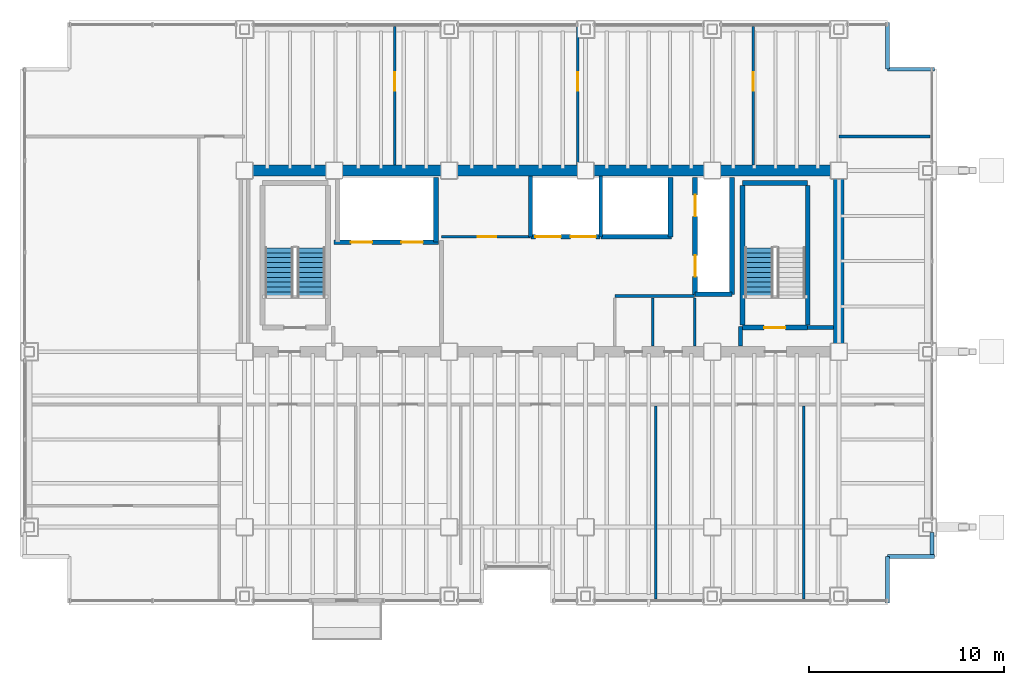
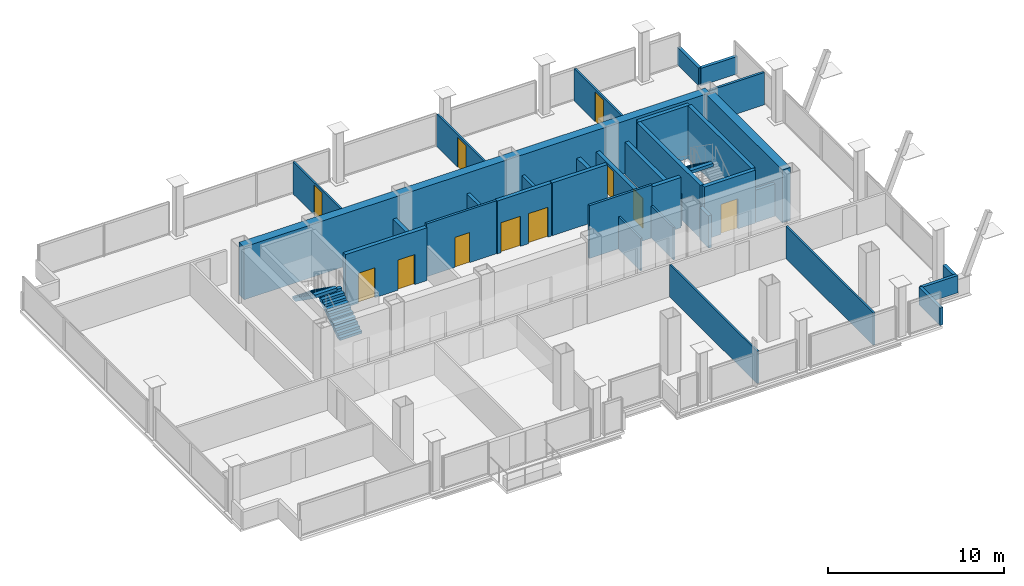
# One storey, part 17 of 19: 33 walls, 11 doors, 3 stair flights, 11 openings, 2 elements without a shape of their own.
"""IFC4 building model written with IfcOpenShell, lengths in metres."""

import ifcopenshell
import ifcopenshell.guid

model = None  # the IFC model being written
_history = None  # IfcOwnerHistory: only IFC2X3 demands one
_inside = {}  # id of a spatial element -> (the spatial element, [elements in it])
_under = {}  # id of a project, library or spatial element -> (it, [spatial elements below it])
_declared = {}  # id of a project -> (the project, [libraries it declares])
_typed = {}  # id of a type object -> (the type object, [elements of that type])
_made_of = {}  # id of a material, layer set ... -> (it, [elements and type objects made of it])


def new_model(schema):
    """Start an empty IFC model of exactly this schema.

    Asked for "IFC4X3", IfcOpenShell would pick the latest addendum, in which some entities
    have other attributes; the version numbers below select the first issue.
    IFC2X3 requires an IfcOwnerHistory on every rooted entity: one is made here for all.
    """
    global model, _history
    if schema == "IFC4X3":
        model = ifcopenshell.file(schema_version=(4, 3, 0, 0))
    else:
        model = ifcopenshell.file(schema=schema)
    _inside.clear()
    _under.clear()
    _declared.clear()
    _typed.clear()
    _made_of.clear()
    _history = None
    if model.schema == "IFC2X3":
        org = make("IfcOrganization", Name="unknown")
        user = make(
            "IfcPersonAndOrganization",
            ThePerson=make("IfcPerson", FamilyName="unknown"),
            TheOrganization=org,
        )
        app = make(
            "IfcApplication",
            ApplicationDeveloper=org,
            Version="unknown",
            ApplicationFullName="unknown",
            ApplicationIdentifier="unknown",
        )
        _history = make(
            "IfcOwnerHistory",
            OwningUser=user,
            OwningApplication=app,
            ChangeAction="ADDED",
            CreationDate=0,
        )
    return model


def make(cls, **values):
    """One entity of the class cls with the attributes given. An attribute that is None is left unset."""
    return model.create_entity(
        cls, **{name: value for name, value in values.items() if value is not None}
    )


def rooted(cls, **values):
    """An entity with a GlobalId (a new one), such as an element, a storey or a relation."""
    return make(cls, GlobalId=ifcopenshell.guid.new(), OwnerHistory=_history, **values)


def si_unit(unit_type, name, prefix=None):
    """IfcSIUnit, for example si_unit("LENGTHUNIT", "METRE", prefix="MILLI")."""
    return make("IfcSIUnit", UnitType=unit_type, Prefix=prefix, Name=name)


def assignment(units):
    """IfcUnitAssignment: the units of a project."""
    return None if units is None else make("IfcUnitAssignment", Units=units)


def point(xyz):
    """IfcCartesianPoint."""
    return None if xyz is None else make("IfcCartesianPoint", Coordinates=xyz)


def direction(xyz):
    """IfcDirection."""
    return None if xyz is None else make("IfcDirection", DirectionRatios=xyz)


def frame(location, z_axis=None, x_axis=None):
    """IfcAxis2Placement3D, a coordinate frame: its origin and axes. An axis left out is left unset."""
    return make(
        "IfcAxis2Placement3D",
        Location=point(location),
        Axis=direction(z_axis),
        RefDirection=direction(x_axis),
    )


def frame_2d(location, x_axis=None):
    """IfcAxis2Placement2D, a coordinate frame in the plane: its origin and x axis."""
    return make(
        "IfcAxis2Placement2D", Location=point(location), RefDirection=direction(x_axis)
    )


def origin():
    """The frame at (0, 0, 0) with its axes left unset."""
    return frame((0.0, 0.0, 0.0))


def place(relative_to, where):
    """IfcLocalPlacement: puts the frame where relative to a parent placement (None: the world)."""
    return make(
        "IfcLocalPlacement", PlacementRelTo=relative_to, RelativePlacement=where
    )


def context(
    kind, dimensions, precision=None, world=None, true_north=None, identifier=None
):
    """IfcGeometricRepresentationContext, for example the 3D "Model" context."""
    return make(
        "IfcGeometricRepresentationContext",
        ContextIdentifier=identifier,
        ContextType=kind,
        CoordinateSpaceDimension=dimensions,
        Precision=precision,
        WorldCoordinateSystem=world,
        TrueNorth=true_north,
    )


def subcontext(parent, identifier, kind, view, scale=None):
    """IfcGeometricRepresentationSubContext, for example "Body" below "Model"."""
    return make(
        "IfcGeometricRepresentationSubContext",
        ContextIdentifier=identifier,
        ContextType=kind,
        ParentContext=parent,
        TargetScale=scale,
        TargetView=view,
    )


def project(units=None, contexts=None):
    """IfcProject with its units and contexts."""
    return rooted(
        "IfcProject",
        Name="project",
        RepresentationContexts=contexts,
        UnitsInContext=assignment(units),
    )


def spatial(cls, under=None, at=None, **own):
    """A site, building, storey or space (cls), placed at a placement, below another one or the project."""
    s = rooted(cls, ObjectPlacement=at, **own)
    if under is not None:
        _under.setdefault(under.id(), (under, []))[1].append(s)
    return s


def polyline(points):
    """IfcPolyline through the points."""
    return make("IfcPolyline", Points=[point(p) for p in points])


def profile(cls, at=None, kind="AREA", **sizes):
    """A parametric profile (cls). Its sizes go by their IFC names, for example OverallWidth=200.0."""
    return make(cls, ProfileType=kind, Position=at, **sizes)


def rectangle(**sizes):
    """IfcRectangleProfileDef."""
    return profile("IfcRectangleProfileDef", **sizes)


def outline(outer, holes=None, kind="AREA"):
    """IfcArbitraryClosedProfileDef: a profile drawn as a closed curve; with holes, ...WithVoids."""
    if holes is None:
        return make("IfcArbitraryClosedProfileDef", ProfileType=kind, OuterCurve=outer)
    return make(
        "IfcArbitraryProfileDefWithVoids",
        ProfileType=kind,
        OuterCurve=outer,
        InnerCurves=holes,
    )


def extrude(swept, where, along, depth):
    """IfcExtrudedAreaSolid: the profile swept, set in the frame where, extruded along a direction by depth."""
    return make(
        "IfcExtrudedAreaSolid",
        SweptArea=swept,
        Position=where,
        ExtrudedDirection=direction(along),
        Depth=depth,
    )


def shape(context_of_items, identifier, shape_type, items):
    """IfcShapeRepresentation: the items that make up one representation, for example the "Body"."""
    return make(
        "IfcShapeRepresentation",
        ContextOfItems=context_of_items,
        RepresentationIdentifier=identifier,
        RepresentationType=shape_type,
        Items=items,
    )


def material(Name=None, Category=None):
    """IfcMaterial."""
    return make("IfcMaterial", Name=Name, Category=Category)


def layer(
    of_material, thickness, ventilated=None, Name=None, Category=None, Priority=None
):
    """IfcMaterialLayer: one layer of a wall or slab, of a material (None: an air gap)."""
    return make(
        "IfcMaterialLayer",
        Material=of_material,
        LayerThickness=thickness,
        IsVentilated=ventilated,
        Name=Name,
        Category=Category,
        Priority=Priority,
    )


def layer_set(layers, Name=None):
    """IfcMaterialLayerSet."""
    return make("IfcMaterialLayerSet", MaterialLayers=layers, LayerSetName=Name)


def made_of(thing, what):
    """Note that an element or type object is made of a material, layer set ...; save() writes the relation."""
    if what is not None:
        _made_of.setdefault(what.id(), (what, []))[1].append(thing)
    return thing


def type_object(cls, material=None, **own):
    """A type object (cls), such as IfcWallType, which elements share."""
    return made_of(rooted(cls, **own), material)


def element(
    cls,
    number,
    at=None,
    inside=None,
    cuts=None,
    type_object=None,
    material=None,
    context=None,
    identifier="Body",
    shape_type=None,
    held_by="IfcProductDefinitionShape",
    body=None,
    shapes=None,
    **own,
):
    """One element of the class cls, such as IfcWall. Its Tag is "e" and its number.

    at: its placement. inside: the storey or other place that contains it. cuts: it is an
    opening in that element (IfcRelVoidsElement). A single representation is given by context,
    identifier, shape_type and body (its items); several are given by shapes. held_by: the class
    of the entity that holds the representations. save() writes the other relations.
    """
    e = rooted(cls, Tag="e%d" % number, ObjectPlacement=at, **own)
    if body is not None:
        shapes = [shape(context, identifier, shape_type, body)]
    if shapes is not None:
        e.Representation = make(held_by, Representations=shapes)
    if inside is not None:
        _inside.setdefault(inside.id(), (inside, []))[1].append(e)
    if cuts is not None:
        rooted(
            "IfcRelVoidsElement", RelatingBuildingElement=cuts, RelatedOpeningElement=e
        )
    if type_object is not None:
        _typed.setdefault(type_object.id(), (type_object, []))[1].append(e)
    return made_of(e, material)


def fill(opening, filler):
    """IfcRelFillsElement: the door or window that sits in an opening."""
    return rooted(
        "IfcRelFillsElement",
        RelatingOpeningElement=opening,
        RelatedBuildingElement=filler,
    )


def aggregate(whole, parts):
    """IfcRelAggregates: a whole, such as a stair, and the parts it consists of."""
    return rooted("IfcRelAggregates", RelatingObject=whole, RelatedObjects=parts)


def save(model, path):
    """Write the relations noted so far, then the file.

    IfcRelAggregates (storeys below a building ...), IfcRelContainedInSpatialStructure (elements
    in a storey), IfcRelDefinesByType, IfcRelAssociatesMaterial and IfcRelDeclares: one each for
    every whole, place, type object, material and project.
    """
    for whole, parts in _under.values():
        aggregate(whole, parts)
    for where, things in _inside.values():
        rooted(
            "IfcRelContainedInSpatialStructure",
            RelatedElements=things,
            RelatingStructure=where,
        )
    for kind, things in _typed.values():
        rooted("IfcRelDefinesByType", RelatedObjects=things, RelatingType=kind)
    for what, things in _made_of.values():
        rooted("IfcRelAssociatesMaterial", RelatedObjects=things, RelatingMaterial=what)
    for by, libraries in _declared.values():
        rooted("IfcRelDeclares", RelatingContext=by, RelatedDefinitions=libraries)
    model.write(path)


model = new_model("IFC4")

# Units and contexts
model_context = context("Model", 3, precision=1e-05, world=origin(), true_north=direction((0.0, 1.0)))
body_context = subcontext(model_context, "Body", "Model", "MODEL_VIEW")
ifc_project = project(units=[si_unit("LENGTHUNIT", "METRE"), si_unit("AREAUNIT", "SQUARE_METRE"), si_unit("VOLUMEUNIT", "CUBIC_METRE"), si_unit("PLANEANGLEUNIT", "RADIAN"), si_unit("MASSUNIT", "GRAM", prefix="KILO")], contexts=[model_context])

# Site, building, storey
site_placement = place(None, origin())
site = spatial("IfcSite", under=ifc_project, at=site_placement, CompositionType="ELEMENT")
building_placement = place(site_placement, origin())
building = spatial("IfcBuilding", under=site, at=building_placement, Name="Noeulbin Bourse Tower", CompositionType="ELEMENT")
storey_placement = place(building_placement, frame((0.0, 0.0, 165.60009765625)))
storey = spatial("IfcBuildingStorey", under=building, at=storey_placement, Name="L41", CompositionType="ELEMENT", Elevation=165.60009765625)

# Walls
ifc_material_1 = material(Name="Concrete C60/75", Category="concrete")
ifc_layer_1 = layer(ifc_material_1, 0.550048828125)
ifc_layer_set_1 = layer_set([ifc_layer_1], Name="Concrete C60/75")
wall_type_1 = type_object("IfcWallType", Name="WAL-CORE-550", PredefinedType="SHEAR", material=ifc_layer_set_1)
wall_1_placement = place(storey_placement, frame((13.5, 38.300048828125, 0.0), z_axis=(0.0, 0.0, 1.0), x_axis=(1.0, 0.0, 0.0)))
element("IfcWall", 1, at=wall_1_placement, inside=storey, type_object=wall_type_1, Name="Rear Core North Shear Wall L41", PredefinedType="SHEAR", context=body_context, shape_type="SweptSolid", body=[
    extrude(rectangle(XDim=30.5, YDim=0.550048828125, at=frame_2d((15.25, 0.0))), origin(), (0.0, 0.0, 1.0), 3.659912109375),
])
wall_2_placement = place(storey_placement, frame((44.0, 29.35009765625, 0.0), z_axis=(0.0, 0.0, 1.0), x_axis=(0.0, 1.0, 0.0)))
element("IfcWall", 2, at=wall_2_placement, inside=storey, type_object=wall_type_1, Name="Rear Core East Shear Wall L41", PredefinedType="SHEAR", context=body_context, shape_type="SweptSolid", body=[
    extrude(rectangle(XDim=8.599853515625, YDim=0.550048828125, at=frame_2d((4.2998046875, 0.0))), origin(), (0.0, 0.0, 1.0), 3.659912109375),
])
ifc_material_2 = material(Name="Concrete C40/50", Category="concrete")
ifc_layer_2 = layer(ifc_material_2, 0.199951171875)
ifc_layer_set_2 = layer_set([ifc_layer_2], Name="Concrete C40/50")
wall_type_2 = type_object("IfcWallType", Name="WAL-FIRE-200", PredefinedType="STANDARD", material=ifc_layer_set_2)
wall_3_placement = place(storey_placement, frame((42.39990234375, 30.239990234375, 0.0), z_axis=(0.0, 0.0, 1.0), x_axis=(1.0, 0.0, 0.0)))
element("IfcWall", 3, at=wall_3_placement, inside=storey, type_object=wall_type_2, Name="Interior Partition Wall L41-01", PredefinedType="STANDARD", context=body_context, shape_type="SweptSolid", body=[
    extrude(rectangle(XDim=1.315185546875, YDim=0.199951171875, at=frame_2d((0.65771484375, 0.0))), origin(), (0.0, 0.0, 1.0), 2.239990234375),
])
wall_4_placement = place(storey_placement, frame((38.949951171875, 29.284912109375, 0.0), z_axis=(0.0, 0.0, 1.0), x_axis=(0.0, 1.0, 0.0)))
element("IfcWall", 4, at=wall_4_placement, inside=storey, type_object=wall_type_2, Name="Interior Partition Wall L41-09", PredefinedType="STANDARD", context=body_context, shape_type="SweptSolid", body=[
    extrude(rectangle(XDim=1.01513671875, YDim=0.199951171875, at=frame_2d((0.507568359375, 0.0))), origin(), (0.0, 0.0, 1.0), 2.239990234375),
])
ifc_layer_3 = layer(ifc_material_2, 0.199951171875)
ifc_layer_set_3 = layer_set([ifc_layer_3], Name="Concrete C40/50")
wall_type_3 = type_object("IfcWallType", Name="WAL-PAR-200", PredefinedType="PARAPET", material=ifc_layer_set_3)
wall_5_placement = place(storey_placement, frame((48.780029296875, 18.60009765625, 0.0), z_axis=(0.0, 0.0, 1.0), x_axis=(0.0, 1.0, 0.0)))
element("IfcWall", 5, at=wall_5_placement, inside=storey, type_object=wall_type_3, Name="Perimeter Pier Spandrel Parapet L41-E2", PredefinedType="PARAPET", context=body_context, shape_type="SweptSolid", body=[
    extrude(rectangle(XDim=1.1298828125, YDim=0.199951171875, at=frame_2d((0.56494140625, 0.0))), origin(), (0.0, 0.0, 1.0), 1.199951171875),
])
for number, where, z_axis, x_axis, name in (
    (6, (46.5, 16.10009765625, 0.0), (0.0, 0.0, 1.0), (0.0, 1.0, 0.0), "Corner Notch Parapet L41-SE1"),
    (7, (46.5, 18.5, 0.0), (0.0, 0.0, 1.0), (1.0, 0.0, 0.0), "Corner Notch Parapet L41-SE2"),
    (8, (46.5, 45.89990234375, 0.0), (0.0, 0.0, 1.0), (0.0, -1.0, 0.0), "Corner Notch Parapet L41-NE1"),
    (9, (46.5, 43.5, 0.0), (0.0, 0.0, 1.0), (1.0, 0.0, 0.0), "Corner Notch Parapet L41-NE2"),
):
    element("IfcWall", number, at=place(storey_placement, frame(where, z_axis=z_axis, x_axis=x_axis)), inside=storey, type_object=wall_type_3, Name=name, PredefinedType="PARAPET", context=body_context, shape_type="SweptSolid", body=[
        extrude(rectangle(XDim=2.39990234375, YDim=0.199951171875, at=frame_2d((1.199951171875, 0.0))), origin(), (0.0, 0.0, 1.0), 1.199951171875),
    ])
ifc_material_3 = material(Name="Steel Stud Gypsum Partition", Category="steel")
ifc_layer_4 = layer(ifc_material_3, 0.1201171875)
ifc_layer_set_4 = layer_set([ifc_layer_4], Name="Steel Stud Gypsum Partition")
wall_type_4 = type_object("IfcWallType", Name="WAL-PRT-120", PredefinedType="PARTITIONING", material=ifc_layer_set_4)
for number, where, z_axis, x_axis, name in (
    (10, (36.60009765625, 29.284912109375, 0.0), (0.0, 0.0, 1.0), (0.0, 1.0, 0.0), "Interior Partition Wall L41-12"),
    (11, (34.449951171875, 29.284912109375, 0.0), (0.0, 0.0, 1.0), (0.0, 1.0, 0.0), "Interior Partition Wall L41-13"),
):
    element("IfcWall", number, at=place(storey_placement, frame(where, z_axis=z_axis, x_axis=x_axis)), inside=storey, type_object=wall_type_4, Name=name, PredefinedType="PARTITIONING", context=body_context, shape_type="SweptSolid", body=[
        extrude(rectangle(XDim=2.47998046875, YDim=0.1201171875, at=frame_2d((1.239990234375, 0.0))), origin(), (0.0, 0.0, 1.0), 2.239990234375),
    ])
for number, where, z_axis, x_axis, name in (
    (12, (34.60009765625, 16.31005859375, 0.0), (0.0, 0.0, 1.0), (0.0, 1.0, 0.0), "Interior Partition Wall L41-18"),
    (13, (42.199951171875, 16.31005859375, 0.0), (0.0, 0.0, 1.0), (0.0, 1.0, 0.0), "Interior Partition Wall L41-19"),
):
    element("IfcWall", number, at=place(storey_placement, frame(where, z_axis=z_axis, x_axis=x_axis)), inside=storey, type_object=wall_type_4, Name=name, PredefinedType="PARTITIONING", context=body_context, shape_type="SweptSolid", body=[
        extrude(rectangle(XDim=9.905029296875, YDim=0.1201171875, at=frame_2d((4.95263671875, 0.0))), origin(), (0.0, 0.0, 1.0), 2.239990234375),
    ])

# Wall, opening, door
wall_6_placement = place(storey_placement, frame((21.199951171875, 38.5849609375, 0.0), z_axis=(0.0, 0.0, 1.0), x_axis=(0.0, 1.0, 0.0)))
wall_6 = element("IfcWall", 14, at=wall_6_placement, inside=storey, type_object=wall_type_4, Name="Interior Partition Wall L41-20", PredefinedType="PARTITIONING", context=body_context, shape_type="SweptSolid", body=[
    extrude(rectangle(XDim=7.10498046875, YDim=0.1201171875, at=frame_2d((3.552490234375, 0.0))), origin(), (0.0, 0.0, 1.0), 2.239990234375),
])
opening_1_placement = place(wall_6_placement, frame((3.81005859375, 0.0, 0.0)))
opening_1 = element("IfcOpeningElement", 15, at=opening_1_placement, cuts=wall_6, Name="Opening ID-09", PredefinedType="OPENING", context=body_context, shape_type="SweptSolid", body=[
    extrude(rectangle(XDim=0.949951171875, YDim=2.080078125, at=frame_2d((0.47509765625, 1.0400390625))), frame((0.0, 0.070068359375, 0.0), z_axis=(0.0, -1.0, 0.0), x_axis=(1.0, 0.0, 0.0)), (0.0, 0.0, 1.0), 0.14013671875),
])
ifc_material_4 = material(Name="Acoustic Solid-Core Timber", Category="wood")
door_type_1 = type_object("IfcDoorType", Name="DR-SINGLE-950", OperationType="SINGLE_SWING_LEFT", PredefinedType="DOOR", material=ifc_material_4)
door_1_placement = place(opening_1_placement, origin())
door_1 = element("IfcDoor", 16, at=door_1_placement, inside=storey, type_object=door_type_1, Name="Interior Door L41-17", OperationType="SINGLE_SWING_LEFT", OverallHeight=2.080078125, OverallWidth=0.949951171875, PredefinedType="DOOR", context=body_context, shape_type="SweptSolid", body=[
    extrude(rectangle(XDim=0.949951171875, YDim=2.080078125, at=frame_2d((0.47509765625, 1.0400390625))), frame((0.0, 0.02490234375, 0.0), z_axis=(0.0, -1.0, 0.0), x_axis=(1.0, 0.0, 0.0)), (0.0, 0.0, 1.0), 0.050048828125),
])
fill(opening_1, door_1)

wall_7_placement = place(storey_placement, frame((30.60009765625, 38.5849609375, 0.0), z_axis=(0.0, 0.0, 1.0), x_axis=(0.0, 1.0, 0.0)))
wall_7 = element("IfcWall", 17, at=wall_7_placement, inside=storey, type_object=wall_type_4, Name="Interior Partition Wall L41-21", PredefinedType="PARTITIONING", context=body_context, shape_type="SweptSolid", body=[
    extrude(rectangle(XDim=7.10498046875, YDim=0.1201171875, at=frame_2d((3.552490234375, 0.0))), origin(), (0.0, 0.0, 1.0), 2.239990234375),
])
opening_2_placement = place(wall_7_placement, frame((3.81005859375, 0.0, 0.0)))
opening_2 = element("IfcOpeningElement", 18, at=opening_2_placement, cuts=wall_7, Name="Opening ID-09", PredefinedType="OPENING", context=body_context, shape_type="SweptSolid", body=[
    extrude(rectangle(XDim=0.949951171875, YDim=2.080078125, at=frame_2d((0.47509765625, 1.0400390625))), frame((0.0, 0.070068359375, 0.0), z_axis=(0.0, -1.0, 0.0), x_axis=(1.0, 0.0, 0.0)), (0.0, 0.0, 1.0), 0.14013671875),
])
door_2_placement = place(opening_2_placement, origin())
door_2 = element("IfcDoor", 19, at=door_2_placement, inside=storey, type_object=door_type_1, Name="Interior Door L41-18", OperationType="SINGLE_SWING_RIGHT", OverallHeight=2.080078125, OverallWidth=0.949951171875, PredefinedType="DOOR", context=body_context, shape_type="SweptSolid", body=[
    extrude(rectangle(XDim=0.949951171875, YDim=2.080078125, at=frame_2d((0.47509765625, 1.0400390625))), frame((0.0, 0.02490234375, 0.0), z_axis=(0.0, -1.0, 0.0), x_axis=(1.0, 0.0, 0.0)), (0.0, 0.0, 1.0), 0.050048828125),
])
fill(opening_2, door_2)

wall_8_placement = place(storey_placement, frame((39.60009765625, 38.5849609375, 0.0), z_axis=(0.0, 0.0, 1.0), x_axis=(0.0, 1.0, 0.0)))
wall_8 = element("IfcWall", 20, at=wall_8_placement, inside=storey, type_object=wall_type_4, Name="Interior Partition Wall L41-22", PredefinedType="PARTITIONING", context=body_context, shape_type="SweptSolid", body=[
    extrude(rectangle(XDim=7.10498046875, YDim=0.1201171875, at=frame_2d((3.552490234375, 0.0))), origin(), (0.0, 0.0, 1.0), 2.239990234375),
])
opening_3_placement = place(wall_8_placement, frame((3.81005859375, 0.0, 0.0)))
opening_3 = element("IfcOpeningElement", 21, at=opening_3_placement, cuts=wall_8, Name="Opening ID-09", PredefinedType="OPENING", context=body_context, shape_type="SweptSolid", body=[
    extrude(rectangle(XDim=0.949951171875, YDim=2.080078125, at=frame_2d((0.47509765625, 1.0400390625))), frame((0.0, 0.070068359375, 0.0), z_axis=(0.0, -1.0, 0.0), x_axis=(1.0, 0.0, 0.0)), (0.0, 0.0, 1.0), 0.14013671875),
])
door_3_placement = place(opening_3_placement, origin())
door_3 = element("IfcDoor", 22, at=door_3_placement, inside=storey, type_object=door_type_1, Name="Interior Door L41-19", OperationType="SINGLE_SWING_LEFT", OverallHeight=2.080078125, OverallWidth=0.949951171875, PredefinedType="DOOR", context=body_context, shape_type="SweptSolid", body=[
    extrude(rectangle(XDim=0.949951171875, YDim=2.080078125, at=frame_2d((0.47509765625, 1.0400390625))), frame((0.0, 0.02490234375, 0.0), z_axis=(0.0, -1.0, 0.0), x_axis=(1.0, 0.0, 0.0)), (0.0, 0.0, 1.0), 0.050048828125),
])
fill(opening_3, door_3)

ifc_material_5 = material(Name="Steel Stud Acoustic Gypsum Board", Category="steel")
ifc_layer_5 = layer(ifc_material_5, 0.14990234375)
ifc_layer_set_5 = layer_set([ifc_layer_5], Name="Steel Stud Acoustic Gypsum Board")
wall_type_5 = type_object("IfcWallType", Name="WAL-PRT-150", PredefinedType="PARTITIONING", material=ifc_layer_set_5)
wall_9_placement = place(storey_placement, frame((23.60009765625, 34.89990234375, 0.0), z_axis=(0.0, 0.0, 1.0), x_axis=(1.0, 0.0, 0.0)))
wall_9 = element("IfcWall", 23, at=wall_9_placement, inside=storey, type_object=wall_type_5, Name="Interior Partition Wall L41-02", PredefinedType="PARTITIONING", context=body_context, shape_type="SweptSolid", body=[
    extrude(rectangle(XDim=4.579833984375, YDim=0.14990234375, at=frame_2d((2.2900390625, 0.0))), origin(), (0.0, 0.0, 1.0), 3.659912109375),
])
opening_4_placement = place(wall_9_placement, frame((1.875, 0.0, 0.0)))
opening_4 = element("IfcOpeningElement", 24, at=opening_4_placement, cuts=wall_9, Name="Opening ID-09", PredefinedType="OPENING", context=body_context, shape_type="SweptSolid", body=[
    extrude(rectangle(XDim=0.949951171875, YDim=2.080078125, at=frame_2d((0.47509765625, 1.0400390625))), frame((0.0, 0.0849609375, 0.0), z_axis=(0.0, -1.0, 0.0), x_axis=(1.0, 0.0, 0.0)), (0.0, 0.0, 1.0), 0.169921875),
])
door_4_placement = place(opening_4_placement, origin())
door_4 = element("IfcDoor", 25, at=door_4_placement, inside=storey, type_object=door_type_1, Name="Archive Room Door L41", OperationType="SINGLE_SWING_LEFT", OverallHeight=2.080078125, OverallWidth=0.949951171875, PredefinedType="DOOR", context=body_context, shape_type="SweptSolid", body=[
    extrude(rectangle(XDim=0.949951171875, YDim=2.080078125, at=frame_2d((0.47509765625, 1.0400390625))), frame((0.0, 0.02490234375, 0.0), z_axis=(0.0, -1.0, 0.0), x_axis=(1.0, 0.0, 0.0)), (0.0, 0.0, 1.0), 0.050048828125),
])
fill(opening_4, door_4)

# Walls
wall_10_placement = place(storey_placement, frame((32.5, 31.85009765625, 0.0), z_axis=(0.0, 0.0, 1.0), x_axis=(1.0, 0.0, 0.0)))
element("IfcWall", 26, at=wall_10_placement, inside=storey, type_object=wall_type_5, Name="Interior Partition Wall L41-03", PredefinedType="PARTITIONING", context=body_context, shape_type="SweptSolid", body=[
    extrude(rectangle(XDim=4.10009765625, YDim=0.14990234375, at=frame_2d((2.050048828125, 0.0))), origin(), (0.0, 0.0, 1.0), 3.659912109375),
])
wall_11_placement = place(storey_placement, frame((44.0, 40.050048828125, 0.0), z_axis=(0.0, 0.0, 1.0), x_axis=(1.0, 0.0, 0.0)))
element("IfcWall", 27, at=wall_11_placement, inside=storey, type_object=wall_type_5, Name="Interior Partition Wall L41-07", PredefinedType="PARTITIONING", context=body_context, shape_type="SweptSolid", body=[
    extrude(rectangle(XDim=4.68994140625, YDim=0.14990234375, at=frame_2d((2.344970703125, 0.0))), origin(), (0.0, 0.0, 1.0), 2.239990234375),
])

# Wall, opening, door
ifc_layer_6 = layer(ifc_material_2, 0.25)
ifc_layer_set_6 = layer_set([ifc_layer_6], Name="Concrete C40/50")
wall_type_6 = type_object("IfcWallType", Name="WAL-SHFT-250", PredefinedType="STANDARD", material=ifc_layer_set_6)
wall_12_placement = place(storey_placement, frame((39.06005859375, 30.235107421875, 0.0), z_axis=(0.0, 0.0, 1.0), x_axis=(1.0, 0.0, 0.0)))
wall_12 = element("IfcWall", 28, at=wall_12_placement, inside=storey, type_object=wall_type_6, Name="Stair ST-2 South Shaft Wall L41", PredefinedType="STANDARD", context=body_context, shape_type="SweptSolid", body=[
    extrude(rectangle(XDim=3.33984375, YDim=0.25, at=frame_2d((1.669921875, 0.0))), origin(), (0.0, 0.0, 1.0), 3.659912109375),
])
opening_5_placement = place(wall_12_placement, frame((1.10009765625, 0.0, 0.0)))
opening_5 = element("IfcOpeningElement", 29, at=opening_5_placement, cuts=wall_12, Name="Opening FD-11", PredefinedType="OPENING", context=body_context, shape_type="SweptSolid", body=[
    extrude(rectangle(XDim=1.10009765625, YDim=2.080078125, at=frame_2d((0.550048828125, 1.0400390625))), frame((0.0, 0.135009765625, 0.0), z_axis=(0.0, -1.0, 0.0), x_axis=(1.0, 0.0, 0.0)), (0.0, 0.0, 1.0), 0.27001953125),
])
ifc_material_6 = material(Name="Fire-Rated Insulated Steel", Category="steel")
door_type_2 = type_object("IfcDoorType", Name="DR-FD60-1100", OperationType="SINGLE_SWING_LEFT", PredefinedType="DOOR", material=ifc_material_6)
door_5_placement = place(opening_5_placement, origin())
door_5 = element("IfcDoor", 30, at=door_5_placement, inside=storey, type_object=door_type_2, Name="Protected Stair Entry Door ST2-L41", OperationType="SINGLE_SWING_RIGHT", OverallHeight=2.080078125, OverallWidth=1.10009765625, PredefinedType="DOOR", context=body_context, shape_type="SweptSolid", body=[
    extrude(rectangle(XDim=1.10009765625, YDim=2.080078125, at=frame_2d((0.550048828125, 1.0400390625))), frame((0.0, 0.02490234375, 0.0), z_axis=(0.0, -1.0, 0.0), x_axis=(1.0, 0.0, 0.0)), (0.0, 0.0, 1.0), 0.050048828125),
])
fill(opening_5, door_5)

# Walls
wall_13_placement = place(storey_placement, frame((39.06005859375, 37.6689453125, 0.0), z_axis=(0.0, 0.0, 1.0), x_axis=(1.0, 0.0, 0.0)))
element("IfcWall", 31, at=wall_13_placement, inside=storey, type_object=wall_type_6, Name="Stair ST-2 North Shaft Wall L41", PredefinedType="STANDARD", context=body_context, shape_type="SweptSolid", body=[
    extrude(rectangle(XDim=3.33984375, YDim=0.25, at=frame_2d((1.669921875, 0.0))), origin(), (0.0, 0.0, 1.0), 3.659912109375),
])
for number, where, z_axis, x_axis, name in (
    (32, (39.054931640625, 30.360107421875, 0.0), (0.0, 0.0, 1.0), (0.0, 1.0, 0.0), "Stair ST-2 West Shaft Wall L41"),
    (33, (42.405029296875, 30.360107421875, 0.0), (0.0, 0.0, 1.0), (0.0, 1.0, 0.0), "Stair ST-2 East Shaft Wall L41"),
):
    element("IfcWall", number, at=place(storey_placement, frame(where, z_axis=z_axis, x_axis=x_axis)), inside=storey, type_object=wall_type_6, Name=name, PredefinedType="STANDARD", context=body_context, shape_type="SweptSolid", body=[
        extrude(rectangle(XDim=7.183837890625, YDim=0.25, at=frame_2d((3.591796875, 0.0))), origin(), (0.0, 0.0, 1.0), 3.659912109375),
    ])

# Wall, openings, doors
wall_14_placement = place(storey_placement, frame((18.10009765625, 34.6201171875, 0.0), z_axis=(0.0, 0.0, 1.0), x_axis=(1.0, 0.0, 0.0)))
wall_14 = element("IfcWall", 34, at=wall_14_placement, inside=storey, type_object=wall_type_6, Name="Firefighting Lift Shaft Front L41", PredefinedType="STANDARD", context=body_context, shape_type="SweptSolid", body=[
    extrude(rectangle(XDim=5.349853515625, YDim=0.25, at=frame_2d((2.6748046875, 0.0))), origin(), (0.0, 0.0, 1.0), 3.659912109375),
])
opening_6_placement = place(wall_14_placement, frame((0.85009765625, 0.0, 0.0)))
opening_6 = element("IfcOpeningElement", 35, at=opening_6_placement, cuts=wall_14, Name="Opening LD-11", PredefinedType="OPENING", context=body_context, shape_type="SweptSolid", body=[
    extrude(rectangle(XDim=1.10009765625, YDim=2.080078125, at=frame_2d((0.550048828125, 1.0400390625))), frame((0.0, 0.135009765625, 0.0), z_axis=(0.0, -1.0, 0.0), x_axis=(1.0, 0.0, 0.0)), (0.0, 0.0, 1.0), 0.27001953125),
])
opening_7_placement = place(wall_14_placement, frame((3.449951171875, 0.0, 0.0)))
opening_7 = element("IfcOpeningElement", 36, at=opening_7_placement, cuts=wall_14, Name="Opening LD-11", PredefinedType="OPENING", context=body_context, shape_type="SweptSolid", body=[
    extrude(rectangle(XDim=1.10009765625, YDim=2.080078125, at=frame_2d((0.550048828125, 1.0400390625))), frame((0.0, 0.135009765625, 0.0), z_axis=(0.0, -1.0, 0.0), x_axis=(1.0, 0.0, 0.0)), (0.0, 0.0, 1.0), 0.27001953125),
])
ifc_material_7 = material(Name="Brushed Stainless Steel 316", Category="steel")
door_type_3 = type_object("IfcDoorType", Name="DR-LIFT-1100", OperationType="SLIDING_TO_LEFT", PredefinedType="DOOR", material=ifc_material_7)
door_6_placement = place(opening_6_placement, origin())
door_6 = element("IfcDoor", 37, at=door_6_placement, inside=storey, type_object=door_type_3, Name="Lift Landing Door LD-FL-01-L41", OperationType="SLIDING_TO_LEFT", OverallHeight=2.080078125, OverallWidth=1.10009765625, PredefinedType="DOOR", context=body_context, shape_type="SweptSolid", body=[
    extrude(rectangle(XDim=1.10009765625, YDim=2.080078125, at=frame_2d((0.550048828125, 1.0400390625))), frame((0.0, 0.02490234375, 0.0), z_axis=(0.0, -1.0, 0.0), x_axis=(1.0, 0.0, 0.0)), (0.0, 0.0, 1.0), 0.050048828125),
])
fill(opening_6, door_6)
door_7_placement = place(opening_7_placement, origin())
door_7 = element("IfcDoor", 38, at=door_7_placement, inside=storey, type_object=door_type_3, Name="Lift Landing Door LD-FL-02-L41", OperationType="SLIDING_TO_LEFT", OverallHeight=2.080078125, OverallWidth=1.10009765625, PredefinedType="DOOR", context=body_context, shape_type="SweptSolid", body=[
    extrude(rectangle(XDim=1.10009765625, YDim=2.080078125, at=frame_2d((0.550048828125, 1.0400390625))), frame((0.0, 0.02490234375, 0.0), z_axis=(0.0, -1.0, 0.0), x_axis=(1.0, 0.0, 0.0)), (0.0, 0.0, 1.0), 0.050048828125),
])
fill(opening_7, door_7)

wall_15_placement = place(storey_placement, frame((36.6201171875, 31.949951171875, 0.0), z_axis=(0.0, 0.0, 1.0), x_axis=(0.0, 1.0, 0.0)))
wall_15 = element("IfcWall", 39, at=wall_15_placement, inside=storey, type_object=wall_type_6, Name="Service Lift Shaft Wall L41", PredefinedType="STANDARD", context=body_context, shape_type="SweptSolid", body=[
    extrude(rectangle(XDim=6.0, YDim=0.25, at=frame_2d((3.0, 0.0))), origin(), (0.0, 0.0, 1.0), 2.239990234375),
])
opening_8_placement = place(wall_15_placement, frame((0.89990234375, 0.0, 0.0)))
opening_8 = element("IfcOpeningElement", 40, at=opening_8_placement, cuts=wall_15, Name="Opening LD-11", PredefinedType="OPENING", context=body_context, shape_type="SweptSolid", body=[
    extrude(rectangle(XDim=1.10009765625, YDim=2.080078125, at=frame_2d((0.550048828125, 1.0400390625))), frame((0.0, 0.135009765625, 0.0), z_axis=(0.0, -1.0, 0.0), x_axis=(1.0, 0.0, 0.0)), (0.0, 0.0, 1.0), 0.27001953125),
])
opening_9_placement = place(wall_15_placement, frame((4.0, 0.0, 0.0)))
opening_9 = element("IfcOpeningElement", 41, at=opening_9_placement, cuts=wall_15, Name="Opening LD-11", PredefinedType="OPENING", context=body_context, shape_type="SweptSolid", body=[
    extrude(rectangle(XDim=1.10009765625, YDim=2.080078125, at=frame_2d((0.550048828125, 1.0400390625))), frame((0.0, 0.135009765625, 0.0), z_axis=(0.0, -1.0, 0.0), x_axis=(1.0, 0.0, 0.0)), (0.0, 0.0, 1.0), 0.27001953125),
])
door_8_placement = place(opening_8_placement, origin())
door_8 = element("IfcDoor", 42, at=door_8_placement, inside=storey, type_object=door_type_3, Name="Lift Landing Door LD-EL-01-L41", OperationType="SLIDING_TO_LEFT", OverallHeight=2.080078125, OverallWidth=1.10009765625, PredefinedType="DOOR", context=body_context, shape_type="SweptSolid", body=[
    extrude(rectangle(XDim=1.10009765625, YDim=2.080078125, at=frame_2d((0.550048828125, 1.0400390625))), frame((0.0, 0.02490234375, 0.0), z_axis=(0.0, -1.0, 0.0), x_axis=(1.0, 0.0, 0.0)), (0.0, 0.0, 1.0), 0.050048828125),
])
fill(opening_8, door_8)
door_9_placement = place(opening_9_placement, origin())
door_9 = element("IfcDoor", 43, at=door_9_placement, inside=storey, type_object=door_type_3, Name="Lift Landing Door LD-SV-01-L41", OperationType="SLIDING_TO_LEFT", OverallHeight=2.080078125, OverallWidth=1.10009765625, PredefinedType="DOOR", context=body_context, shape_type="SweptSolid", body=[
    extrude(rectangle(XDim=1.10009765625, YDim=2.080078125, at=frame_2d((0.550048828125, 1.0400390625))), frame((0.0, 0.02490234375, 0.0), z_axis=(0.0, -1.0, 0.0), x_axis=(1.0, 0.0, 0.0)), (0.0, 0.0, 1.0), 0.050048828125),
])
fill(opening_9, door_9)

# Walls
wall_16_placement = place(storey_placement, frame((38.52001953125, 31.949951171875, 0.0), z_axis=(0.0, 0.0, 1.0), x_axis=(0.0, 1.0, 0.0)))
element("IfcWall", 44, at=wall_16_placement, inside=storey, type_object=wall_type_6, Name="Service Lift East Shaft Wall L41", PredefinedType="STANDARD", context=body_context, shape_type="SweptSolid", body=[
    extrude(rectangle(XDim=6.0, YDim=0.25, at=frame_2d((3.0, 0.0))), origin(), (0.0, 0.0, 1.0), 2.239990234375),
])
wall_17_placement = place(storey_placement, frame((36.6201171875, 31.949951171875, 0.0), z_axis=(0.0, 0.0, 1.0), x_axis=(1.0, 0.0, 0.0)))
element("IfcWall", 45, at=wall_17_placement, inside=storey, type_object=wall_type_6, Name="Service Lift South Shaft Wall L41", PredefinedType="STANDARD", context=body_context, shape_type="SweptSolid", body=[
    extrude(rectangle(XDim=1.89990234375, YDim=0.25, at=frame_2d((0.949951171875, 0.0))), origin(), (0.0, 0.0, 1.0), 3.47998046875),
])
wall_18_placement = place(storey_placement, frame((23.320068359375, 34.6201171875, 0.0), z_axis=(0.0, 0.0, 1.0), x_axis=(0.0, 1.0, 0.0)))
element("IfcWall", 46, at=wall_18_placement, inside=storey, type_object=wall_type_6, Name="Firefighting Lift East Shaft Wall L41", PredefinedType="STANDARD", context=body_context, shape_type="SweptSolid", body=[
    extrude(rectangle(XDim=3.329833984375, YDim=0.25, at=frame_2d((1.6650390625, 0.0))), origin(), (0.0, 0.0, 1.0), 2.239990234375),
])
wall_19_placement = place(storey_placement, frame((35.360107421875, 34.89990234375, 0.0), z_axis=(0.0, 0.0, 1.0), x_axis=(0.0, 1.0, 0.0)))
element("IfcWall", 47, at=wall_19_placement, inside=storey, type_object=wall_type_6, Name="High-Rise Lift East Shaft Wall L41", PredefinedType="STANDARD", context=body_context, shape_type="SweptSolid", body=[
    extrude(rectangle(XDim=3.050048828125, YDim=0.25, at=frame_2d((1.52490234375, 0.0))), origin(), (0.0, 0.0, 1.0), 2.239990234375),
])

# Wall, openings, doors
wall_20_placement = place(storey_placement, frame((28.199951171875, 34.89990234375, 0.0), z_axis=(0.0, 0.0, 1.0), x_axis=(1.0, 0.0, 0.0)))
wall_20 = element("IfcWall", 48, at=wall_20_placement, inside=storey, type_object=wall_type_6, Name="Mid-Rise Lift Bank Front L41", PredefinedType="STANDARD", context=body_context, shape_type="SweptSolid", body=[
    extrude(rectangle(XDim=3.550048828125, YDim=0.25, at=frame_2d((1.77490234375, 0.0))), origin(), (0.0, 0.0, 1.0), 3.659912109375),
])
opening_10_placement = place(wall_20_placement, frame((0.22998046875, 0.0, 0.0)))
opening_10 = element("IfcOpeningElement", 49, at=opening_10_placement, cuts=wall_20, Name="Opening LD-13", PredefinedType="OPENING", context=body_context, shape_type="SweptSolid", body=[
    extrude(rectangle(XDim=1.300048828125, YDim=2.080078125, at=frame_2d((0.64990234375, 1.0400390625))), frame((0.0, 0.135009765625, 0.0), z_axis=(0.0, -1.0, 0.0), x_axis=(1.0, 0.0, 0.0)), (0.0, 0.0, 1.0), 0.27001953125),
])
opening_11_placement = place(wall_20_placement, frame((2.030029296875, 0.0, 0.0)))
opening_11 = element("IfcOpeningElement", 50, at=opening_11_placement, cuts=wall_20, Name="Opening LD-13", PredefinedType="OPENING", context=body_context, shape_type="SweptSolid", body=[
    extrude(rectangle(XDim=1.300048828125, YDim=2.080078125, at=frame_2d((0.64990234375, 1.0400390625))), frame((0.0, 0.135009765625, 0.0), z_axis=(0.0, -1.0, 0.0), x_axis=(1.0, 0.0, 0.0)), (0.0, 0.0, 1.0), 0.27001953125),
])
door_type_4 = type_object("IfcDoorType", Name="DR-LIFT-1300", OperationType="DOUBLE_DOOR_SLIDING", PredefinedType="DOOR", material=ifc_material_7)
door_10_placement = place(opening_10_placement, origin())
door_10 = element("IfcDoor", 51, at=door_10_placement, inside=storey, type_object=door_type_4, Name="Lift Landing Door LD-PL-M1-L41", OperationType="DOUBLE_DOOR_SLIDING", OverallHeight=2.080078125, OverallWidth=1.300048828125, PredefinedType="DOOR", context=body_context, shape_type="SweptSolid", body=[
    extrude(rectangle(XDim=1.300048828125, YDim=2.080078125, at=frame_2d((0.64990234375, 1.0400390625))), frame((0.0, 0.02490234375, 0.0), z_axis=(0.0, -1.0, 0.0), x_axis=(1.0, 0.0, 0.0)), (0.0, 0.0, 1.0), 0.050048828125),
])
fill(opening_10, door_10)
door_11_placement = place(opening_11_placement, origin())
door_11 = element("IfcDoor", 52, at=door_11_placement, inside=storey, type_object=door_type_4, Name="Lift Landing Door LD-PL-M2-L41", OperationType="DOUBLE_DOOR_SLIDING", OverallHeight=2.080078125, OverallWidth=1.300048828125, PredefinedType="DOOR", context=body_context, shape_type="SweptSolid", body=[
    extrude(rectangle(XDim=1.300048828125, YDim=2.080078125, at=frame_2d((0.64990234375, 1.0400390625))), frame((0.0, 0.02490234375, 0.0), z_axis=(0.0, -1.0, 0.0), x_axis=(1.0, 0.0, 0.0)), (0.0, 0.0, 1.0), 0.050048828125),
])
fill(opening_11, door_11)

# Walls
wall_21_placement = place(storey_placement, frame((31.800048828125, 34.89990234375, 0.0), z_axis=(0.0, 0.0, 1.0), x_axis=(1.0, 0.0, 0.0)))
element("IfcWall", 53, at=wall_21_placement, inside=storey, type_object=wall_type_6, Name="High-Rise Lift Bank Front L41", PredefinedType="STANDARD", context=body_context, shape_type="SweptSolid", body=[
    extrude(rectangle(XDim=3.599853515625, YDim=0.25, at=frame_2d((1.7998046875, 0.0))), origin(), (0.0, 0.0, 1.0), 3.659912109375),
])
for number, where, z_axis, x_axis, name in (
    (54, (28.179931640625, 34.89990234375, 0.0), (0.0, 0.0, 1.0), (0.0, 1.0, 0.0), "Hoistway Side Shaft Wall L41-PLMW"),
    (55, (31.780029296875, 34.89990234375, 0.0), (0.0, 0.0, 1.0), (0.0, 1.0, 0.0), "Hoistway Side Shaft Wall L41-PLHW"),
):
    element("IfcWall", number, at=place(storey_placement, frame(where, z_axis=z_axis, x_axis=x_axis)), inside=storey, type_object=wall_type_6, Name=name, PredefinedType="STANDARD", context=body_context, shape_type="SweptSolid", body=[
        extrude(rectangle(XDim=3.1201171875, YDim=0.199951171875, at=frame_2d((1.56005859375, 0.0))), origin(), (0.0, 0.0, 1.0), 2.239990234375),
    ])

# Stair, stair flights
stair_type = type_object("IfcStairType", Name="STR-CORE-1560", PredefinedType="HALF_TURN_STAIR", material=ifc_material_2)
stair_1_placement = place(storey_placement, origin())
stair_1 = element("IfcStair", 56, at=stair_1_placement, inside=storey, type_object=stair_type, Name="L41 ST-1", PredefinedType="HALF_TURN_STAIR")
stair_flight_type = type_object("IfcStairFlightType", Name="SFL-CORE-1560", PredefinedType="STRAIGHT", material=ifc_material_2)
stair_flight_1_placement = place(storey_placement, frame((16.925048828125, 31.81005859375, 0.0), z_axis=(0.0, 0.0, 1.0), x_axis=(0.0, 1.0, 0.0)))
stair_flight_1 = element("IfcStairFlight", 57, at=stair_flight_1_placement, type_object=stair_flight_type, Name="ST-1 flight 1", NumberOfRisers=11, NumberOfTreads=10, PredefinedType="STRAIGHT", RiserHeight=0.177272727, TreadLength=0.252, context=body_context, shape_type="SweptSolid", body=[
    extrude(outline(polyline([(0.0, 0.0), (0.0, 0.17724609375), (0.251953125, 0.17724609375), (0.251953125, 0.3544921875), (0.50390625, 0.3544921875), (0.50390625, 0.53173828125), (0.756103515625, 0.53173828125), (0.756103515625, 0.708984375), (1.008056640625, 0.708984375), (1.008056640625, 0.886474609375), (1.260009765625, 0.886474609375), (1.260009765625, 1.063720703125), (1.511962890625, 1.063720703125), (1.511962890625, 1.240966796875), (1.763916015625, 1.240966796875), (1.763916015625, 1.418212890625), (2.01611328125, 1.418212890625), (2.01611328125, 1.595458984375), (2.26806640625, 1.595458984375), (2.26806640625, 1.772705078125), (2.52001953125, 1.772705078125), (2.52001953125, 1.949951171875), (2.52001953125, 1.552734375), (0.312744140625, 0.0), (0.0, 0.0)])), frame((0.0, 0.72509765625, 0.0), z_axis=(0.0, -1.0, 0.0), x_axis=(1.0, 0.0, 0.0)), (0.0, 0.0, 1.0), 1.449951171875),
])
stair_flight_2_placement = place(storey_placement, frame((15.27490234375, 34.330078125, 1.949951171875), z_axis=(0.0, 0.0, 1.0), x_axis=(0.0, -1.0, 0.0)))
stair_flight_2 = element("IfcStairFlight", 58, at=stair_flight_2_placement, type_object=stair_flight_type, Name="ST-1 flight 2", NumberOfRisers=11, NumberOfTreads=10, PredefinedType="STRAIGHT", RiserHeight=0.177272727, TreadLength=0.252, context=body_context, shape_type="SweptSolid", body=[
    extrude(outline(polyline([(0.0, 0.0), (0.0, 0.17724609375), (0.251953125, 0.17724609375), (0.251953125, 0.3544921875), (0.50390625, 0.3544921875), (0.50390625, 0.53173828125), (0.756103515625, 0.53173828125), (0.756103515625, 0.708984375), (1.008056640625, 0.708984375), (1.008056640625, 0.886474609375), (1.260009765625, 0.886474609375), (1.260009765625, 1.063720703125), (1.511962890625, 1.063720703125), (1.511962890625, 1.240966796875), (1.763916015625, 1.240966796875), (1.763916015625, 1.418212890625), (2.01611328125, 1.418212890625), (2.01611328125, 1.595458984375), (2.26806640625, 1.595458984375), (2.26806640625, 1.772705078125), (2.52001953125, 1.772705078125), (2.52001953125, 1.949951171875), (2.52001953125, 1.552734375), (0.312744140625, 0.0), (0.0, 0.0)])), frame((0.0, 0.72509765625, 0.0), z_axis=(0.0, -1.0, 0.0), x_axis=(1.0, 0.0, 0.0)), (0.0, 0.0, 1.0), 1.449951171875),
])
aggregate(stair_1, [stair_flight_1, stair_flight_2])

# Stair, stair flight
stair_2_placement = place(storey_placement, origin())
stair_2 = element("IfcStair", 59, at=stair_2_placement, inside=storey, type_object=stair_type, Name="L41 ST-2", PredefinedType="HALF_TURN_STAIR")
stair_flight_3_placement = place(storey_placement, frame((39.905029296875, 34.330078125, 1.949951171875), z_axis=(0.0, 0.0, 1.0), x_axis=(0.0, -1.0, 0.0)))
stair_flight_3 = element("IfcStairFlight", 60, at=stair_flight_3_placement, type_object=stair_flight_type, Name="ST-2 flight 2", NumberOfRisers=11, NumberOfTreads=10, PredefinedType="STRAIGHT", RiserHeight=0.177272727, TreadLength=0.252, context=body_context, shape_type="SweptSolid", body=[
    extrude(outline(polyline([(0.0, 0.0), (0.0, 0.17724609375), (0.251953125, 0.17724609375), (0.251953125, 0.3544921875), (0.50390625, 0.3544921875), (0.50390625, 0.53173828125), (0.756103515625, 0.53173828125), (0.756103515625, 0.708984375), (1.008056640625, 0.708984375), (1.008056640625, 0.886474609375), (1.260009765625, 0.886474609375), (1.260009765625, 1.063720703125), (1.511962890625, 1.063720703125), (1.511962890625, 1.240966796875), (1.763916015625, 1.240966796875), (1.763916015625, 1.418212890625), (2.01611328125, 1.418212890625), (2.01611328125, 1.595458984375), (2.26806640625, 1.595458984375), (2.26806640625, 1.772705078125), (2.52001953125, 1.772705078125), (2.52001953125, 1.949951171875), (2.52001953125, 1.552734375), (0.312744140625, 0.0), (0.0, 0.0)])), frame((0.0, 0.72509765625, 0.0), z_axis=(0.0, -1.0, 0.0), x_axis=(1.0, 0.0, 0.0)), (0.0, 0.0, 1.0), 1.449951171875),
])
aggregate(stair_2, [stair_flight_3])

save(model, "model.ifc")
